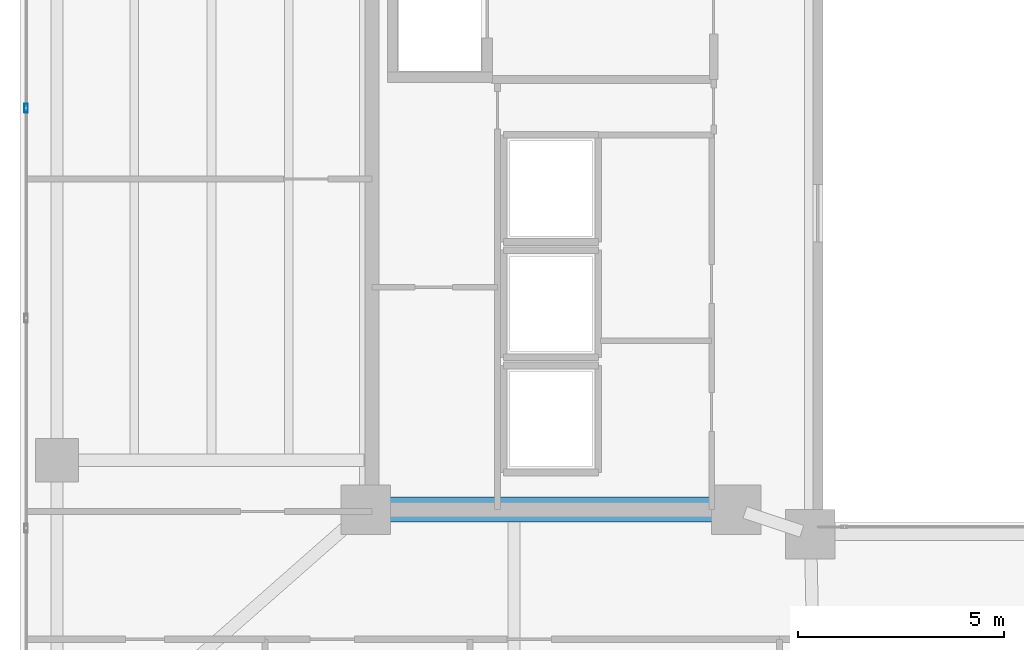
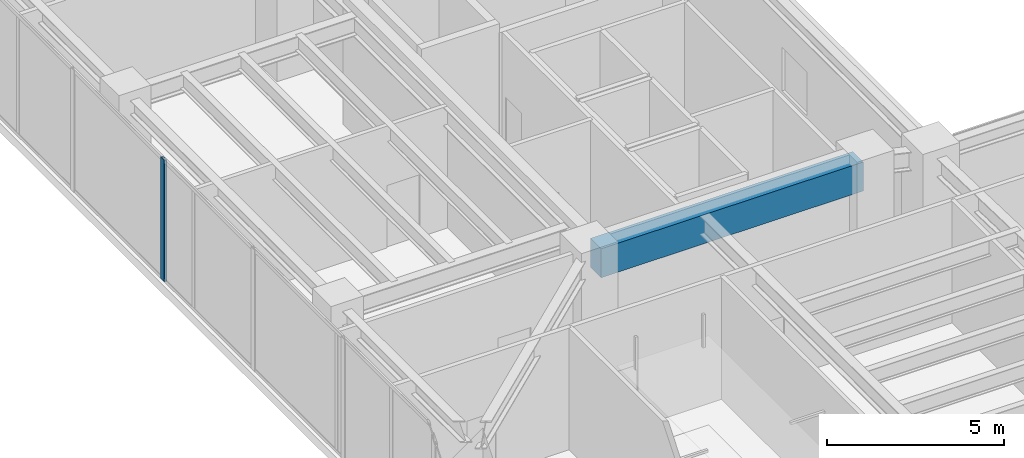
# One storey, part 9 of 38: 1 beam, 1 member, 1 element without a shape of its own.
"""IFC4 building model written with IfcOpenShell, lengths in metres."""

from ifc_helpers import new_model, si_unit, direction, frame, origin, origin_2d, place, context, subcontext, project, spatial, rectangle, hollow_rectangle, extrude, material, layer, layer_set, material_profile, profile_set, type_object, element, aggregate, save


model = new_model("IFC4")

# Units and contexts
model_context = context("Model", 3, precision=1e-05, world=origin(), true_north=direction((0.0, 1.0)))
body_context = subcontext(model_context, "Body", "Model", "MODEL_VIEW")
ifc_project = project(units=[si_unit("LENGTHUNIT", "METRE"), si_unit("AREAUNIT", "SQUARE_METRE"), si_unit("VOLUMEUNIT", "CUBIC_METRE"), si_unit("PLANEANGLEUNIT", "RADIAN"), si_unit("MASSUNIT", "GRAM", prefix="KILO")], contexts=[model_context])

# Site, building, storey
site_placement = place(None, origin())
site = spatial("IfcSite", under=ifc_project, at=site_placement, CompositionType="ELEMENT")
building_placement = place(site_placement, origin())
building = spatial("IfcBuilding", under=site, at=building_placement, Name="Tarnavaz Court Tower", CompositionType="ELEMENT")
storey_placement = place(building_placement, frame((0.0, 0.0, 123.0)))
storey = spatial("IfcBuildingStorey", under=building, at=storey_placement, Name="L33", CompositionType="ELEMENT", Elevation=123.0)

# Beam
ifc_material_1 = material(Name="Concrete C60/75", Category="concrete")
ifc_material_profile_1 = material_profile(ifc_material_1, rectangle(XDim=0.60009765625, YDim=1.0, at=origin_2d()), Name="RC 600X1000")
ifc_profile_set_1 = profile_set([ifc_material_profile_1], Name="Concrete C60/75")
beam_type = type_object("IfcBeamType", Name="BM-CB1000", PredefinedType="LINTEL", material=ifc_profile_set_1)
beam_placement = place(storey_placement, frame((-18.3798828125, -7.199951171875, 3.699951171875), z_axis=(1.0, 0.0, 0.0), x_axis=(0.0, 1.0, 0.0)))
element("IfcBeam", 1, at=beam_placement, inside=storey, type_object=beam_type, Name="L33 Beam IN-CW-SO-CW-SI", PredefinedType="LINTEL", context=body_context, shape_type="SweptSolid", body=[
    extrude(rectangle(XDim=0.60009765625, YDim=1.0, at=origin_2d()), origin(), (0.0, 0.0, 1.0), 8.559814453125),
])

# Curtain wall, member
ifc_material_2 = material(Name="Anodised Aluminium 6063-T6 and Solar Low-E Glazing", Category="aluminium")
ifc_layer = layer(ifc_material_2, 0.199951171875)
ifc_layer_set = layer_set([ifc_layer], Name="Anodised Aluminium 6063-T6 and Solar Low-E Glazing")
curtain_wall_type = type_object("IfcCurtainWallType", Name="CW-SYS-05", PredefinedType="NOTDEFINED", material=ifc_layer_set)
curtain_wall_placement = place(storey_placement, origin())
curtain_wall = element("IfcCurtainWall", 2, at=curtain_wall_placement, inside=storey, type_object=curtain_wall_type, Name="L33 Sky-Portal Curtain Wall 2", PredefinedType="NOTDEFINED")
ifc_material_3 = material(Name="Anodised Aluminium 6063-T6", Category="aluminium")
ifc_material_profile_2 = material_profile(ifc_material_3, hollow_rectangle(XDim=0.0849609375, YDim=0.219970703125, WallThickness=0.006103515625, InnerFilletRadius=0.006103515625, OuterFilletRadius=0.011962890625, at=origin_2d()), Name="ALU RHS 220X85X6")
ifc_profile_set_2 = profile_set([ifc_material_profile_2], Name="Anodised Aluminium 6063-T6")
member_type = type_object("IfcMemberType", Name="CW-MUL-220", PredefinedType="MULLION", material=ifc_profile_set_2)
member_placement = place(storey_placement, frame((-26.85009765625, 2.550048828125, 0.0), z_axis=(0.0, 0.0, 1.0), x_axis=(-1.0, 0.0, 0.0)))
member = element("IfcMember", 3, at=member_placement, type_object=member_type, Name="CW mullion 5", PredefinedType="MULLION", context=body_context, shape_type="SweptSolid", body=[
    extrude(hollow_rectangle(XDim=0.0849609375, YDim=0.219970703125, WallThickness=0.006103515625, InnerFilletRadius=0.006103515625, OuterFilletRadius=0.011962890625, at=origin_2d()), origin(), (0.0, 0.0, 1.0), 4.199951171875),
])
aggregate(curtain_wall, [member])

save(model, "model.ifc")
